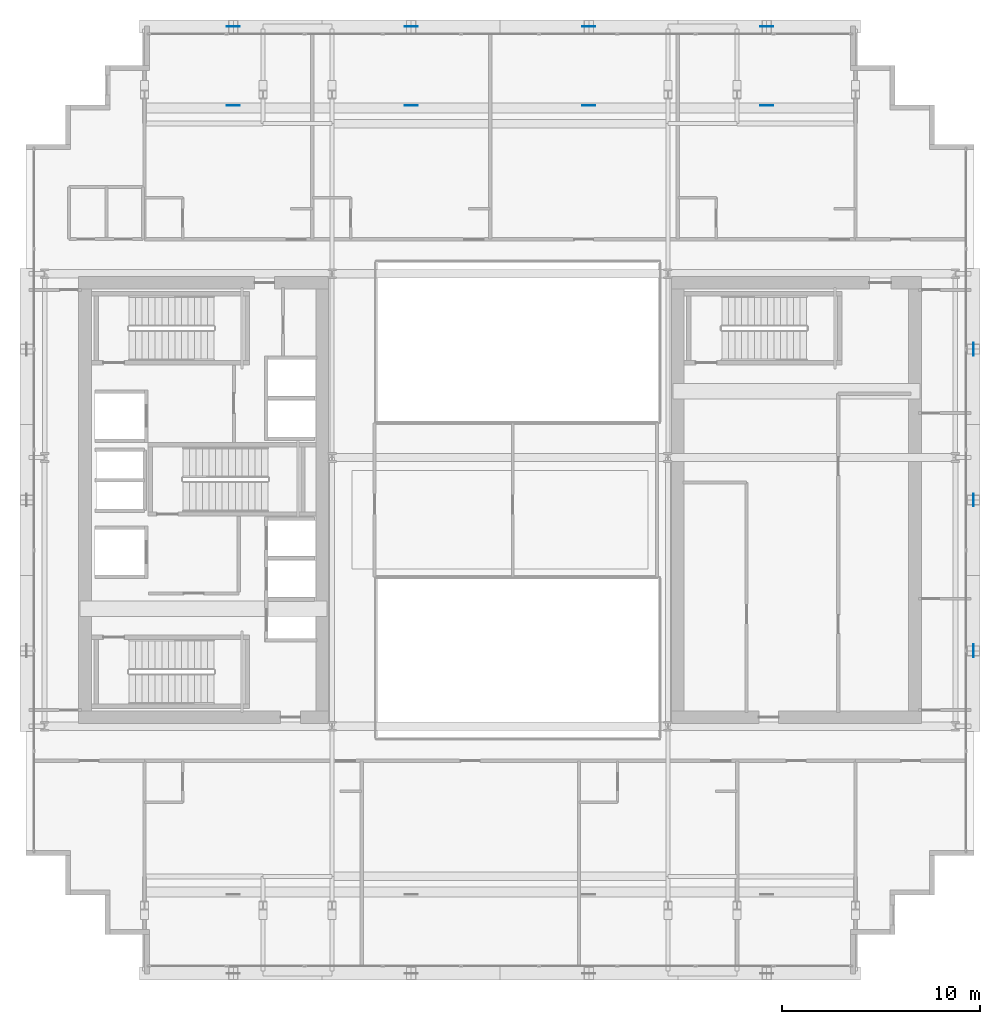
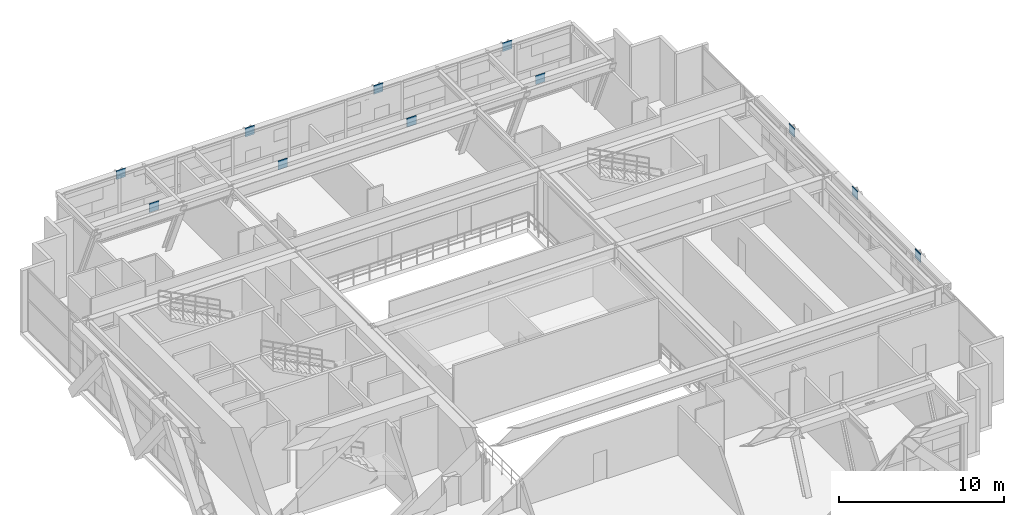
# One storey, part 27 of 35: 11 plates.
"""IFC4 building model written with IfcOpenShell, lengths in metres."""

from ifc_helpers import new_model, si_unit, direction, frame, origin, origin_2d, place, context, subcontext, project, spatial, rectangle, extrude, source, transform, mapped, material, layer, layer_set, type_object, element, save


model = new_model("IFC4")

# Units and contexts
model_context = context("Model", 3, precision=1e-05, world=origin(), true_north=direction((0.0, 1.0)))
body_context = subcontext(model_context, "Body", "Model", "MODEL_VIEW")
ifc_project = project(units=[si_unit("LENGTHUNIT", "METRE"), si_unit("AREAUNIT", "SQUARE_METRE"), si_unit("VOLUMEUNIT", "CUBIC_METRE"), si_unit("PLANEANGLEUNIT", "RADIAN"), si_unit("MASSUNIT", "GRAM", prefix="KILO")], contexts=[model_context])

# Site, building, storey
site_placement = place(None, origin())
site = spatial("IfcSite", under=ifc_project, at=site_placement, CompositionType="ELEMENT")
building_placement = place(site_placement, origin())
building = spatial("IfcBuilding", under=site, at=building_placement, Name="Ocotamira Hotel", CompositionType="ELEMENT")
storey_placement = place(building_placement, frame((0.0, 0.0, 158.39990234375)))
storey = spatial("IfcBuildingStorey", under=building, at=storey_placement, Name="L39", CompositionType="ELEMENT", Elevation=158.39990234375)

# Plates
ifc_material = material(Name="Pale-metal coated steel ASTM A572 Grade 50", Category="steel")
ifc_layer = layer(ifc_material, 0.0400390625)
ifc_layer_set = layer_set([ifc_layer], Name="Pale-metal coated steel ASTM A572 Grade 50")
plate_type = type_object("IfcPlateType", Name="PLT-GUSSET-40", PredefinedType="SHEET", material=ifc_layer_set)
shared_shape_1 = source(origin(), body_context, "Body", "SweptSolid", [
    extrude(rectangle(XDim=0.64990234375, YDim=0.0400390625, at=origin_2d()), origin(), (0.0, 0.0, 1.0), 0.64990234375),
])
for number, where, z_axis, x_axis, name in (
    (1, (18.5, 49.969970703125, 3.9951171875), (0.0, 0.0, 1.0), (1.0, 0.0, 0.0), "L39 Exoskeleton Diagrid N0.1 End Gusset B"),
    (2, (27.5, 49.969970703125, 3.9951171875), (0.0, 0.0, 1.0), (1.0, 0.0, 0.0), "L39 Exoskeleton Diagrid N1.1 End Gusset B"),
    (3, (36.5, 49.969970703125, 3.9951171875), (0.0, 0.0, 1.0), (1.0, 0.0, 0.0), "L39 Exoskeleton Diagrid N2.1 End Gusset B"),
    (4, (45.5, 49.969970703125, 3.9951171875), (0.0, 0.0, 1.0), (1.0, 0.0, 0.0), "L39 Exoskeleton Diagrid N3.1 End Gusset B"),
    (5, (18.5, 45.969970703125, 3.9951171875), (0.0, 0.0, 1.0), (-1.0, 0.0, 0.0), "L39 Exoskeleton Diagrid N0.1 End Gusset A"),
    (6, (27.5, 45.969970703125, 3.9951171875), (0.0, 0.0, 1.0), (-1.0, 0.0, 0.0), "L39 Exoskeleton Diagrid N1.1 End Gusset A"),
    (7, (36.5, 45.969970703125, 3.9951171875), (0.0, 0.0, 1.0), (-1.0, 0.0, 0.0), "L39 Exoskeleton Diagrid N2.1 End Gusset A"),
    (8, (45.5, 45.969970703125, 3.9951171875), (0.0, 0.0, 1.0), (-1.0, 0.0, 0.0), "L39 Exoskeleton Diagrid N3.1 End Gusset A"),
):
    element("IfcPlate", number, at=place(storey_placement, frame(where, z_axis=z_axis, x_axis=x_axis)), inside=storey, type_object=plate_type, Name=name, PredefinedType="SHEET", context=body_context, shape_type="MappedRepresentation", body=[
        mapped(shared_shape_1, transform((0.0, 0.0, 0.0), scale=1.0)),
    ])
shared_shape_2 = source(origin(), body_context, "Body", "SweptSolid", [
    extrude(rectangle(XDim=0.0400390625, YDim=0.64990234375, at=origin_2d()), origin(), (0.0, 0.0, 1.0), 0.64990234375),
])
for number, where, z_axis, x_axis, name in (
    (9, (55.969970703125, 18.36669921875, 3.9951171875), (0.0, 0.0, 1.0), (1.0, 0.0, 0.0), "L39 Exoskeleton Diagrid E0.1 End Gusset B"),
    (10, (55.969970703125, 26.0, 3.9951171875), (0.0, 0.0, 1.0), (1.0, 0.0, 0.0), "L39 Exoskeleton Diagrid E1.1 End Gusset B"),
    (11, (55.969970703125, 33.63330078125, 3.9951171875), (0.0, 0.0, 1.0), (1.0, 0.0, 0.0), "L39 Exoskeleton Diagrid E2.1 End Gusset B"),
):
    element("IfcPlate", number, at=place(storey_placement, frame(where, z_axis=z_axis, x_axis=x_axis)), inside=storey, type_object=plate_type, Name=name, PredefinedType="SHEET", context=body_context, shape_type="MappedRepresentation", body=[
        mapped(shared_shape_2, transform((0.0, 0.0, 0.0), scale=1.0)),
    ])

save(model, "model.ifc")
